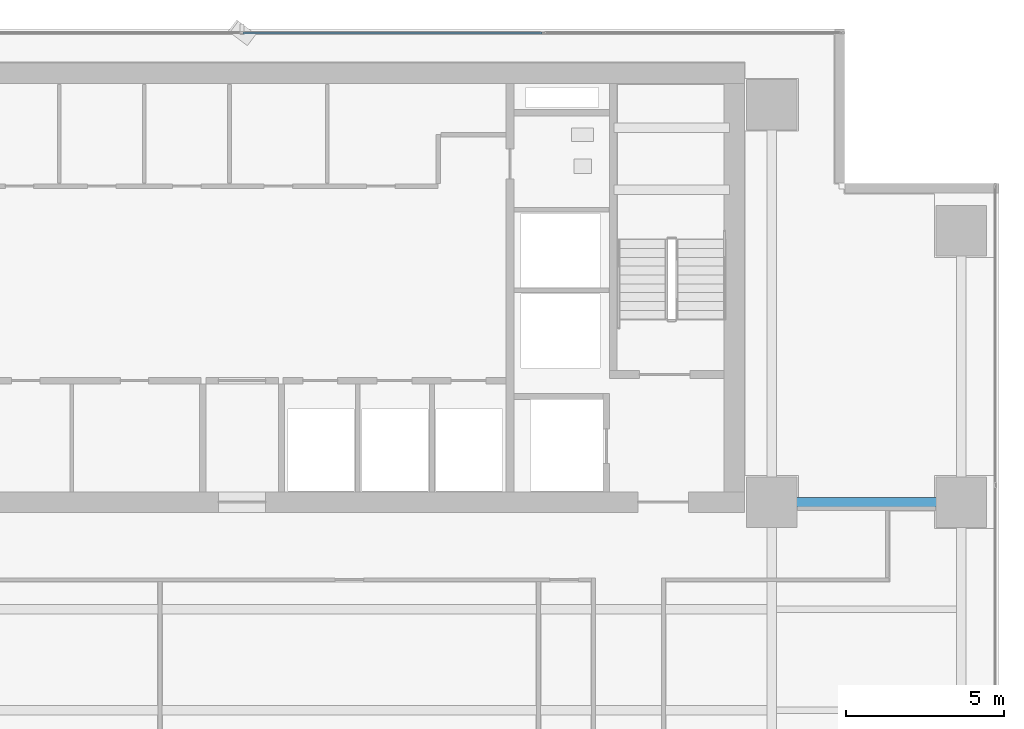
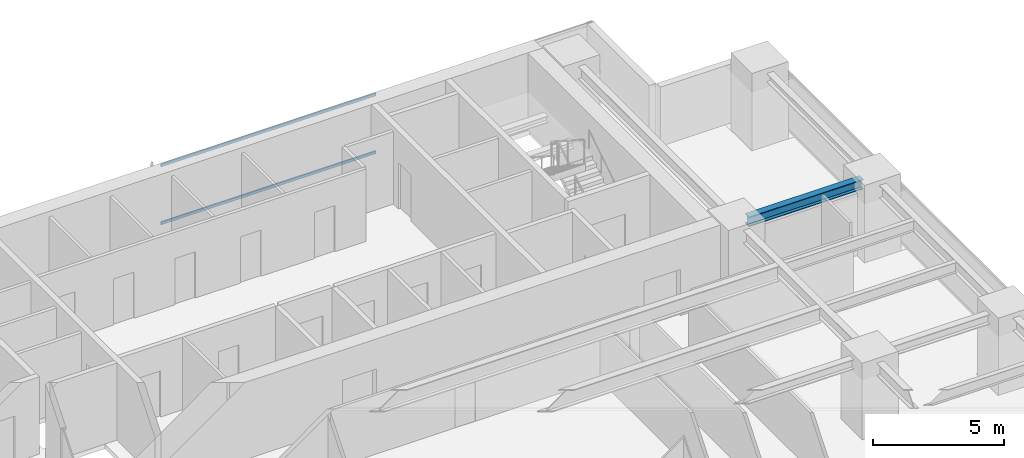
# One storey, part 17 of 27: 2 members, 1 beam, 1 element without a shape of its own.
"""IFC4 building model written with IfcOpenShell, lengths in metres."""

from ifc_helpers import new_model, si_unit, direction, frame, origin, origin_2d, place, context, subcontext, project, spatial, hollow_rectangle, i_section, extrude, source, transform, mapped, material, layer, layer_set, material_profile, profile_set, type_object, element, aggregate, save


model = new_model("IFC4")

# Units and contexts
model_context = context("Model", 3, precision=1e-05, world=origin(), true_north=direction((0.0, 1.0)))
body_context = subcontext(model_context, "Body", "Model", "MODEL_VIEW")
ifc_project = project(units=[si_unit("LENGTHUNIT", "METRE"), si_unit("AREAUNIT", "SQUARE_METRE"), si_unit("VOLUMEUNIT", "CUBIC_METRE"), si_unit("PLANEANGLEUNIT", "RADIAN"), si_unit("MASSUNIT", "GRAM", prefix="KILO")], contexts=[model_context])

# Site, building, storey
site_placement = place(None, origin())
site = spatial("IfcSite", under=ifc_project, at=site_placement, CompositionType="ELEMENT")
building_placement = place(site_placement, origin())
building = spatial("IfcBuilding", under=site, at=building_placement, Name="Sumidabori Civic Tower", CompositionType="ELEMENT")
storey_placement = place(building_placement, frame((0.0, 0.0, 135.199951171875)))
storey = spatial("IfcBuildingStorey", under=building, at=storey_placement, Name="L34", CompositionType="ELEMENT", Elevation=135.199951171875)

# Beam
ifc_material_1 = material(Name="Steel SN490", Category="steel")
ifc_material_profile_1 = material_profile(ifc_material_1, i_section(OverallWidth=0.300048828125, OverallDepth=0.449951171875, WebThickness=0.013916015625, FlangeThickness=0.02587890625, at=origin_2d()), Name="HE 450 B")
ifc_profile_set_1 = profile_set([ifc_material_profile_1], Name="Steel SN490")
beam_type = type_object("IfcBeamType", Name="BM-GIRD-450", PredefinedType="BEAM", material=ifc_profile_set_1)
shared_shape_1 = source(origin(), body_context, "Body", "SweptSolid", [
    extrude(i_section(OverallWidth=0.300048828125, OverallDepth=0.449951171875, WebThickness=0.013916015625, FlangeThickness=0.02587890625, at=origin_2d()), origin(), (0.0, 0.0, 1.0), 5.0400390625),
])
beam_placement = place(storey_placement, frame((17.280029296875, 10.199951171875, 3.155029296875), z_axis=(1.0, 0.0, 0.0), x_axis=(0.0, 1.0, 0.0)))
element("IfcBeam", 1, at=beam_placement, inside=storey, type_object=beam_type, Name="Primary Girder L34 GX-18", PredefinedType="BEAM", context=body_context, shape_type="MappedRepresentation", body=[
    mapped(shared_shape_1, transform((0.0, 0.0, 0.0), x_axis=(1.0, 0.0, 0.0), y_axis=(0.0, 1.0, 0.0), z_axis=(0.0, 0.0, 1.0), scale=1.0)),
])

# Curtain wall, members
ifc_material_2 = material(Name="Anodised Bronze Aluminium AW-6063-T6", Category="aluminium")
ifc_layer = layer(ifc_material_2, 0.179931640625, Name="Anodised Bronze Aluminium AW-6063-T6")
ifc_layer_set = layer_set([ifc_layer], Name="Anodised Bronze Aluminium AW-6063-T6")
curtain_wall_type = type_object("IfcCurtainWallType", Name="CW-SYS-3", PredefinedType="NOTDEFINED", material=ifc_layer_set)
curtain_wall_placement = place(storey_placement, origin())
curtain_wall = element("IfcCurtainWall", 2, at=curtain_wall_placement, inside=storey, type_object=curtain_wall_type, Name="Curtain Wall CW:L34:R07", PredefinedType="NOTDEFINED")
ifc_material_profile_2 = material_profile(ifc_material_2, hollow_rectangle(XDim=0.06005859375, YDim=0.1298828125, WallThickness=0.0048828125, at=origin_2d()), Name="ALU TRANSOM 130x60")
ifc_profile_set_2 = profile_set([ifc_material_profile_2], Name="Anodised Bronze Aluminium AW-6063-T6")
member_type = type_object("IfcMemberType", Name="CW-TRN-130", PredefinedType="USERDEFINED", material=ifc_profile_set_2)
shared_shape_2 = source(origin(), body_context, "Body", "SweptSolid", [
    extrude(hollow_rectangle(XDim=0.06005859375, YDim=0.1298828125, WallThickness=0.0048828125, at=origin_2d()), origin(), (0.0, 0.0, 1.0), 9.469970703125),
])
member_1_placement = place(storey_placement, frame((9.50244140625, 25.080078125, 0.030029296875), z_axis=(-1.0, 0.0, 0.0), x_axis=(0.0, -1.0, 0.0)))
member_1 = element("IfcMember", 3, at=member_1_placement, type_object=member_type, Name="CW-3 transom 2.1", ObjectType="TRANSOM", PredefinedType="USERDEFINED", context=body_context, shape_type="MappedRepresentation", body=[
    mapped(shared_shape_2, transform((0.0, 0.0, 0.0), x_axis=(1.0, 0.0, 0.0), y_axis=(0.0, 1.0, 0.0), z_axis=(0.0, 0.0, 1.0), scale=1.0)),
])
member_2_placement = place(storey_placement, frame((9.50244140625, 25.080078125, 2.72998046875), z_axis=(-1.0, 0.0, 0.0), x_axis=(0.0, -1.0, 0.0)))
member_2 = element("IfcMember", 4, at=member_2_placement, type_object=member_type, Name="CW-3 transom 2.2", ObjectType="TRANSOM", PredefinedType="USERDEFINED", context=body_context, shape_type="MappedRepresentation", body=[
    mapped(shared_shape_2, transform((0.0, 0.0, 0.0), x_axis=(1.0, 0.0, 0.0), y_axis=(0.0, 1.0, 0.0), z_axis=(0.0, 0.0, 1.0), scale=1.0)),
])
aggregate(curtain_wall, [member_1, member_2])

save(model, "model.ifc")
